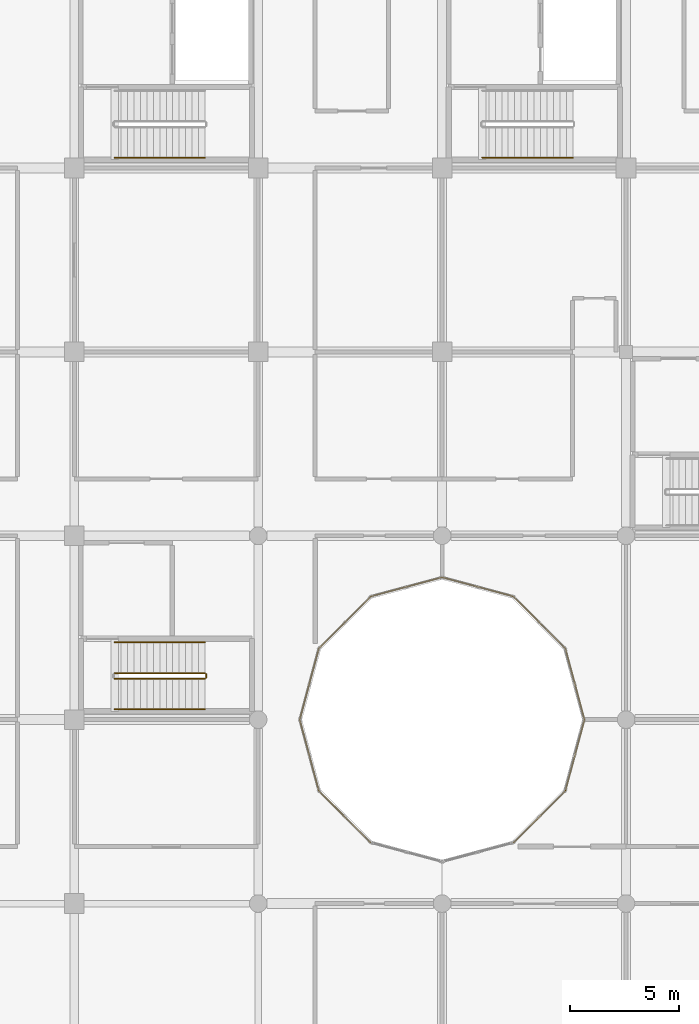
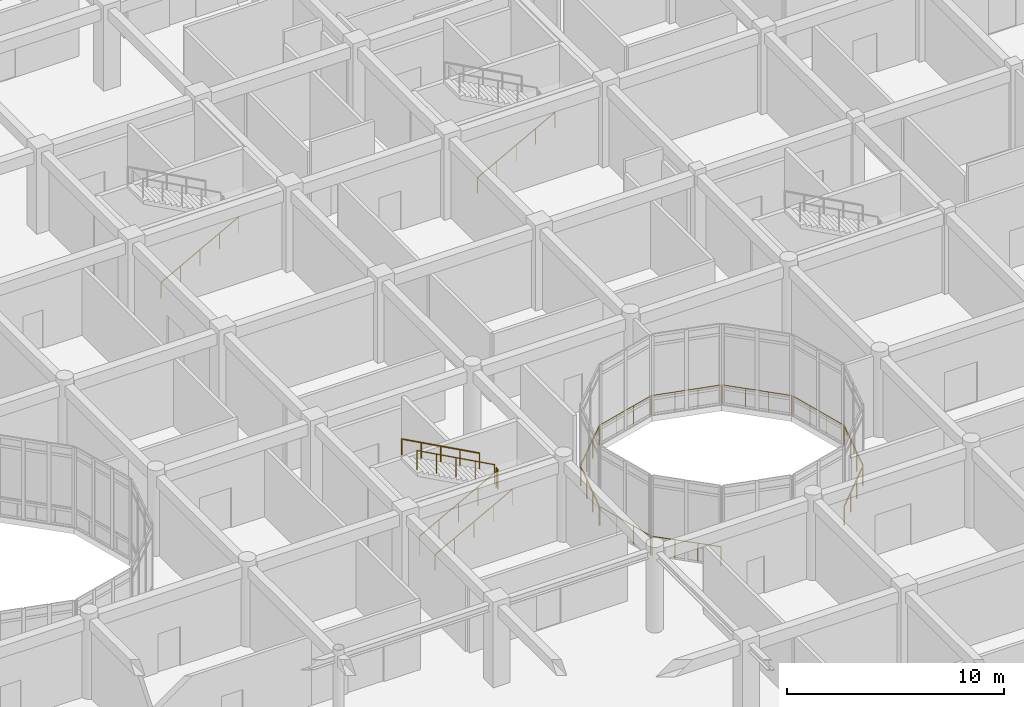
# One storey, part 128 of 138: 17 railings.
"""IFC4 building model written with IfcOpenShell, lengths in metres."""

import ifcopenshell
import ifcopenshell.guid

model = None  # the IFC model being written
_history = None  # IfcOwnerHistory: only IFC2X3 demands one
_inside = {}  # id of a spatial element -> (the spatial element, [elements in it])
_under = {}  # id of a project, library or spatial element -> (it, [spatial elements below it])
_declared = {}  # id of a project -> (the project, [libraries it declares])
_typed = {}  # id of a type object -> (the type object, [elements of that type])
_made_of = {}  # id of a material, layer set ... -> (it, [elements and type objects made of it])


def new_model(schema):
    """Start an empty IFC model of exactly this schema.

    Asked for "IFC4X3", IfcOpenShell would pick the latest addendum, in which some entities
    have other attributes; the version numbers below select the first issue.
    IFC2X3 requires an IfcOwnerHistory on every rooted entity: one is made here for all.
    """
    global model, _history
    if schema == "IFC4X3":
        model = ifcopenshell.file(schema_version=(4, 3, 0, 0))
    else:
        model = ifcopenshell.file(schema=schema)
    _inside.clear()
    _under.clear()
    _declared.clear()
    _typed.clear()
    _made_of.clear()
    _history = None
    if model.schema == "IFC2X3":
        org = make("IfcOrganization", Name="unknown")
        user = make(
            "IfcPersonAndOrganization",
            ThePerson=make("IfcPerson", FamilyName="unknown"),
            TheOrganization=org,
        )
        app = make(
            "IfcApplication",
            ApplicationDeveloper=org,
            Version="unknown",
            ApplicationFullName="unknown",
            ApplicationIdentifier="unknown",
        )
        _history = make(
            "IfcOwnerHistory",
            OwningUser=user,
            OwningApplication=app,
            ChangeAction="ADDED",
            CreationDate=0,
        )
    return model


def make(cls, **values):
    """One entity of the class cls with the attributes given. An attribute that is None is left unset."""
    return model.create_entity(
        cls, **{name: value for name, value in values.items() if value is not None}
    )


def rooted(cls, **values):
    """An entity with a GlobalId (a new one), such as an element, a storey or a relation."""
    return make(cls, GlobalId=ifcopenshell.guid.new(), OwnerHistory=_history, **values)


def si_unit(unit_type, name, prefix=None):
    """IfcSIUnit, for example si_unit("LENGTHUNIT", "METRE", prefix="MILLI")."""
    return make("IfcSIUnit", UnitType=unit_type, Prefix=prefix, Name=name)


def assignment(units):
    """IfcUnitAssignment: the units of a project."""
    return None if units is None else make("IfcUnitAssignment", Units=units)


def point(xyz):
    """IfcCartesianPoint."""
    return None if xyz is None else make("IfcCartesianPoint", Coordinates=xyz)


def direction(xyz):
    """IfcDirection."""
    return None if xyz is None else make("IfcDirection", DirectionRatios=xyz)


def frame(location, z_axis=None, x_axis=None):
    """IfcAxis2Placement3D, a coordinate frame: its origin and axes. An axis left out is left unset."""
    return make(
        "IfcAxis2Placement3D",
        Location=point(location),
        Axis=direction(z_axis),
        RefDirection=direction(x_axis),
    )


def frame_2d(location, x_axis=None):
    """IfcAxis2Placement2D, a coordinate frame in the plane: its origin and x axis."""
    return make(
        "IfcAxis2Placement2D", Location=point(location), RefDirection=direction(x_axis)
    )


def origin():
    """The frame at (0, 0, 0) with its axes left unset."""
    return frame((0.0, 0.0, 0.0))


def origin_2d():
    """The frame at (0, 0) in the plane with its x axis left unset."""
    return frame_2d((0.0, 0.0))


def place(relative_to, where):
    """IfcLocalPlacement: puts the frame where relative to a parent placement (None: the world)."""
    return make(
        "IfcLocalPlacement", PlacementRelTo=relative_to, RelativePlacement=where
    )


def context(
    kind, dimensions, precision=None, world=None, true_north=None, identifier=None
):
    """IfcGeometricRepresentationContext, for example the 3D "Model" context."""
    return make(
        "IfcGeometricRepresentationContext",
        ContextIdentifier=identifier,
        ContextType=kind,
        CoordinateSpaceDimension=dimensions,
        Precision=precision,
        WorldCoordinateSystem=world,
        TrueNorth=true_north,
    )


def subcontext(parent, identifier, kind, view, scale=None):
    """IfcGeometricRepresentationSubContext, for example "Body" below "Model"."""
    return make(
        "IfcGeometricRepresentationSubContext",
        ContextIdentifier=identifier,
        ContextType=kind,
        ParentContext=parent,
        TargetScale=scale,
        TargetView=view,
    )


def project(units=None, contexts=None):
    """IfcProject with its units and contexts."""
    return rooted(
        "IfcProject",
        Name="project",
        RepresentationContexts=contexts,
        UnitsInContext=assignment(units),
    )


def spatial(cls, under=None, at=None, **own):
    """A site, building, storey or space (cls), placed at a placement, below another one or the project."""
    s = rooted(cls, ObjectPlacement=at, **own)
    if under is not None:
        _under.setdefault(under.id(), (under, []))[1].append(s)
    return s


def profile(cls, at=None, kind="AREA", **sizes):
    """A parametric profile (cls). Its sizes go by their IFC names, for example OverallWidth=200.0."""
    return make(cls, ProfileType=kind, Position=at, **sizes)


def circle(**sizes):
    """IfcCircleProfileDef."""
    return profile("IfcCircleProfileDef", **sizes)


def extrude(swept, where, along, depth):
    """IfcExtrudedAreaSolid: the profile swept, set in the frame where, extruded along a direction by depth."""
    return make(
        "IfcExtrudedAreaSolid",
        SweptArea=swept,
        Position=where,
        ExtrudedDirection=direction(along),
        Depth=depth,
    )


def shape(context_of_items, identifier, shape_type, items):
    """IfcShapeRepresentation: the items that make up one representation, for example the "Body"."""
    return make(
        "IfcShapeRepresentation",
        ContextOfItems=context_of_items,
        RepresentationIdentifier=identifier,
        RepresentationType=shape_type,
        Items=items,
    )


def material(Name=None, Category=None):
    """IfcMaterial."""
    return make("IfcMaterial", Name=Name, Category=Category)


def made_of(thing, what):
    """Note that an element or type object is made of a material, layer set ...; save() writes the relation."""
    if what is not None:
        _made_of.setdefault(what.id(), (what, []))[1].append(thing)
    return thing


def type_object(cls, material=None, **own):
    """A type object (cls), such as IfcWallType, which elements share."""
    return made_of(rooted(cls, **own), material)


def element(
    cls,
    number,
    at=None,
    inside=None,
    cuts=None,
    type_object=None,
    material=None,
    context=None,
    identifier="Body",
    shape_type=None,
    held_by="IfcProductDefinitionShape",
    body=None,
    shapes=None,
    **own,
):
    """One element of the class cls, such as IfcWall. Its Tag is "e" and its number.

    at: its placement. inside: the storey or other place that contains it. cuts: it is an
    opening in that element (IfcRelVoidsElement). A single representation is given by context,
    identifier, shape_type and body (its items); several are given by shapes. held_by: the class
    of the entity that holds the representations. save() writes the other relations.
    """
    e = rooted(cls, Tag="e%d" % number, ObjectPlacement=at, **own)
    if body is not None:
        shapes = [shape(context, identifier, shape_type, body)]
    if shapes is not None:
        e.Representation = make(held_by, Representations=shapes)
    if inside is not None:
        _inside.setdefault(inside.id(), (inside, []))[1].append(e)
    if cuts is not None:
        rooted(
            "IfcRelVoidsElement", RelatingBuildingElement=cuts, RelatedOpeningElement=e
        )
    if type_object is not None:
        _typed.setdefault(type_object.id(), (type_object, []))[1].append(e)
    return made_of(e, material)


def aggregate(whole, parts):
    """IfcRelAggregates: a whole, such as a stair, and the parts it consists of."""
    return rooted("IfcRelAggregates", RelatingObject=whole, RelatedObjects=parts)


def save(model, path):
    """Write the relations noted so far, then the file.

    IfcRelAggregates (storeys below a building ...), IfcRelContainedInSpatialStructure (elements
    in a storey), IfcRelDefinesByType, IfcRelAssociatesMaterial and IfcRelDeclares: one each for
    every whole, place, type object, material and project.
    """
    for whole, parts in _under.values():
        aggregate(whole, parts)
    for where, things in _inside.values():
        rooted(
            "IfcRelContainedInSpatialStructure",
            RelatedElements=things,
            RelatingStructure=where,
        )
    for kind, things in _typed.values():
        rooted("IfcRelDefinesByType", RelatedObjects=things, RelatingType=kind)
    for what, things in _made_of.values():
        rooted("IfcRelAssociatesMaterial", RelatedObjects=things, RelatingMaterial=what)
    for by, libraries in _declared.values():
        rooted("IfcRelDeclares", RelatingContext=by, RelatedDefinitions=libraries)
    model.write(path)


model = new_model("IFC4")

# Units and contexts
model_context = context("Model", 3, precision=1e-05, world=origin(), true_north=direction((0.0, 1.0)))
body_context = subcontext(model_context, "Body", "Model", "MODEL_VIEW")
ifc_project = project(units=[si_unit("LENGTHUNIT", "METRE"), si_unit("AREAUNIT", "SQUARE_METRE"), si_unit("VOLUMEUNIT", "CUBIC_METRE"), si_unit("PLANEANGLEUNIT", "RADIAN"), si_unit("MASSUNIT", "GRAM", prefix="KILO")], contexts=[model_context])

# Site, building, storey
site_placement = place(None, origin())
site = spatial("IfcSite", under=ifc_project, at=site_placement, CompositionType="ELEMENT")
building_placement = place(site_placement, origin())
building = spatial("IfcBuilding", under=site, at=building_placement, Name="Bramfleet General Hospital", CompositionType="ELEMENT")
storey_placement = place(building_placement, origin())
storey = spatial("IfcBuildingStorey", under=building, at=storey_placement, Name="L00", CompositionType="ELEMENT", Elevation=0.0)

# Railings
ifc_material_1 = material(Name="Stainless steel 1.4401 safety balustrade", Category="steel")
railing_type_1 = type_object("IfcRailingType", Name="RAIL-EXT-GUARD", PredefinedType="GUARDRAIL", material=ifc_material_1)
railing_1_placement = place(storey_placement, frame((111.10595703125, 67.16455078125, 0.0)))
element("IfcRailing", 1, at=railing_1_placement, inside=storey, type_object=railing_type_1, Name="L00 Safety Guard Rail 25", PredefinedType="GUARDRAIL", context=body_context, shape_type="SweptSolid", body=[
    extrude(circle(Radius=0.02392578125, at=origin_2d()), frame((0.0, 0.0, 1.076171875), z_axis=(0.25882996935, -0.96592289908, 0.0), x_axis=(0.96592289908, 0.25882996935, 0.0)), (0.0, 0.0, 1.0), 3.29296875),
    extrude(circle(Radius=0.02099609375, at=origin_2d()), origin(), (0.0, 0.0, 1.0), 1.052001953125),
    extrude(circle(Radius=0.02099609375, at=origin_2d()), frame((0.2841796875, -1.060302734375, 0.0)), (0.0, 0.0, 1.0), 1.052001953125),
    extrude(circle(Radius=0.02099609375, at=origin_2d()), frame((0.568115234375, -2.120361328125, 0.0)), (0.0, 0.0, 1.0), 1.052001953125),
    extrude(circle(Radius=0.02099609375, at=origin_2d()), frame((0.852294921875, -3.1806640625, 0.0)), (0.0, 0.0, 1.0), 1.052001953125),
])
railing_2_placement = place(storey_placement, frame((111.993896484375, 63.922119140625, 0.0)))
element("IfcRailing", 2, at=railing_2_placement, inside=storey, type_object=railing_type_1, Name="L00 Safety Guard Rail 26", PredefinedType="GUARDRAIL", context=body_context, shape_type="SweptSolid", body=[
    extrude(circle(Radius=0.02392578125, at=origin_2d()), frame((0.0, 0.0, 1.076171875), z_axis=(0.707106781187, -0.707106781187, 0.0), x_axis=(0.707106781187, 0.707106781187, 0.0)), (0.0, 0.0, 1.0), 3.292724609375),
    extrude(circle(Radius=0.02099609375, at=origin_2d()), origin(), (0.0, 0.0, 1.0), 1.052001953125),
    extrude(circle(Radius=0.02099609375, at=origin_2d()), frame((0.776123046875, -0.776123046875, 0.0)), (0.0, 0.0, 1.0), 1.052001953125),
    extrude(circle(Radius=0.02099609375, at=origin_2d()), frame((1.55224609375, -1.55224609375, 0.0)), (0.0, 0.0, 1.0), 1.052001953125),
    extrude(circle(Radius=0.02099609375, at=origin_2d()), frame((2.328369140625, -2.328369140625, 0.0)), (0.0, 0.0, 1.0), 1.052001953125),
])
railing_3_placement = place(storey_placement, frame((120.877685546875, 61.59375, 0.0)))
element("IfcRailing", 3, at=railing_3_placement, inside=storey, type_object=railing_type_1, Name="L00 Safety Guard Rail 29", PredefinedType="GUARDRAIL", context=body_context, shape_type="SweptSolid", body=[
    extrude(circle(Radius=0.02392578125, at=origin_2d()), frame((0.0, 0.0, 1.076171875), z_axis=(0.707143850033, 0.707069710397, 0.0), x_axis=(-0.707069710397, 0.707143850033, 0.0)), (0.0, 0.0, 1.0), 3.29296875),
    extrude(circle(Radius=0.02099609375, at=origin_2d()), origin(), (0.0, 0.0, 1.0), 1.052001953125),
    extrude(circle(Radius=0.02099609375, at=origin_2d()), frame((0.776123046875, 0.776123046875, 0.0)), (0.0, 0.0, 1.0), 1.052001953125),
    extrude(circle(Radius=0.02099609375, at=origin_2d()), frame((1.552490234375, 1.55224609375, 0.0)), (0.0, 0.0, 1.0), 1.052001953125),
    extrude(circle(Radius=0.02099609375, at=origin_2d()), frame((2.32861328125, 2.328369140625, 0.0)), (0.0, 0.0, 1.0), 1.052001953125),
])
railing_4_placement = place(storey_placement, frame((123.24169921875, 63.98388671875, 0.0)))
element("IfcRailing", 4, at=railing_4_placement, inside=storey, type_object=railing_type_1, Name="L00 Safety Guard Rail 30", PredefinedType="GUARDRAIL", context=body_context, shape_type="SweptSolid", body=[
    extrude(circle(Radius=0.02392578125, at=origin_2d()), frame((0.0, 0.0, 1.076171875), z_axis=(0.25882996935, 0.96592289908, 0.0), x_axis=(-0.96592289908, 0.25882996935, 0.0)), (0.0, 0.0, 1.0), 3.29296875),
    extrude(circle(Radius=0.02099609375, at=origin_2d()), origin(), (0.0, 0.0, 1.0), 1.052001953125),
    extrude(circle(Radius=0.02099609375, at=origin_2d()), frame((0.2841796875, 1.060302734375, 0.0)), (0.0, 0.0, 1.0), 1.052001953125),
    extrude(circle(Radius=0.02099609375, at=origin_2d()), frame((0.568115234375, 2.120361328125, 0.0)), (0.0, 0.0, 1.0), 1.052001953125),
    extrude(circle(Radius=0.02099609375, at=origin_2d()), frame((0.852294921875, 3.1806640625, 0.0)), (0.0, 0.0, 1.0), 1.052001953125),
])
railing_5_placement = place(storey_placement, frame((124.093994140625, 67.235595703125, 0.0)))
element("IfcRailing", 5, at=railing_5_placement, inside=storey, type_object=railing_type_1, Name="L00 Safety Guard Rail 31", PredefinedType="GUARDRAIL", context=body_context, shape_type="SweptSolid", body=[
    extrude(circle(Radius=0.02392578125, at=origin_2d()), frame((0.0, 0.0, 1.076171875), z_axis=(-0.25882996935, 0.96592289908, 0.0), x_axis=(-0.96592289908, -0.25882996935, 0.0)), (0.0, 0.0, 1.0), 3.29296875),
    extrude(circle(Radius=0.02099609375, at=origin_2d()), origin(), (0.0, 0.0, 1.0), 1.052001953125),
    extrude(circle(Radius=0.02099609375, at=origin_2d()), frame((-0.2841796875, 1.060302734375, 0.0)), (0.0, 0.0, 1.0), 1.052001953125),
    extrude(circle(Radius=0.02099609375, at=origin_2d()), frame((-0.568115234375, 2.120361328125, 0.0)), (0.0, 0.0, 1.0), 1.052001953125),
    extrude(circle(Radius=0.02099609375, at=origin_2d()), frame((-0.852294921875, 3.1806640625, 0.0)), (0.0, 0.0, 1.0), 1.052001953125),
])
railing_6_placement = place(storey_placement, frame((123.206298828125, 70.477783203125, 0.0)))
element("IfcRailing", 6, at=railing_6_placement, inside=storey, type_object=railing_type_1, Name="L00 Safety Guard Rail 32", PredefinedType="GUARDRAIL", context=body_context, shape_type="SweptSolid", body=[
    extrude(circle(Radius=0.02392578125, at=origin_2d()), frame((0.0, 0.0, 1.076171875), z_axis=(-0.707143850033, 0.707069710397, 0.0), x_axis=(-0.707069710397, -0.707143850033, 0.0)), (0.0, 0.0, 1.0), 3.29296875),
    extrude(circle(Radius=0.02099609375, at=origin_2d()), origin(), (0.0, 0.0, 1.0), 1.052001953125),
    extrude(circle(Radius=0.02099609375, at=origin_2d()), frame((-0.776123046875, 0.776123046875, 0.0)), (0.0, 0.0, 1.0), 1.052001953125),
    extrude(circle(Radius=0.02099609375, at=origin_2d()), frame((-1.552490234375, 1.55224609375, 0.0)), (0.0, 0.0, 1.0), 1.052001953125),
    extrude(circle(Radius=0.02099609375, at=origin_2d()), frame((-2.32861328125, 2.328369140625, 0.0)), (0.0, 0.0, 1.0), 1.052001953125),
])
railing_7_placement = place(storey_placement, frame((120.816162109375, 72.841796875, 0.0)))
element("IfcRailing", 7, at=railing_7_placement, inside=storey, type_object=railing_type_1, Name="L00 Safety Guard Rail 33", PredefinedType="GUARDRAIL", context=body_context, shape_type="SweptSolid", body=[
    extrude(circle(Radius=0.02392578125, at=origin_2d()), frame((0.0, 0.0, 1.076171875), z_axis=(-0.96592289908, 0.25882996935, 0.0), x_axis=(-0.25882996935, -0.96592289908, 0.0)), (0.0, 0.0, 1.0), 3.29296875),
    extrude(circle(Radius=0.02099609375, at=origin_2d()), origin(), (0.0, 0.0, 1.0), 1.052001953125),
    extrude(circle(Radius=0.02099609375, at=origin_2d()), frame((-1.060302734375, 0.2841796875, 0.0)), (0.0, 0.0, 1.0), 1.052001953125),
    extrude(circle(Radius=0.02099609375, at=origin_2d()), frame((-2.120361328125, 0.568115234375, 0.0)), (0.0, 0.0, 1.0), 1.052001953125),
    extrude(circle(Radius=0.02099609375, at=origin_2d()), frame((-3.1806640625, 0.852294921875, 0.0)), (0.0, 0.0, 1.0), 1.052001953125),
])
railing_8_placement = place(storey_placement, frame((117.564453125, 73.694091796875, 0.0)))
element("IfcRailing", 8, at=railing_8_placement, inside=storey, type_object=railing_type_1, Name="L00 Safety Guard Rail 34", PredefinedType="GUARDRAIL", context=body_context, shape_type="SweptSolid", body=[
    extrude(circle(Radius=0.02392578125, at=origin_2d()), frame((0.0, 0.0, 1.076171875), z_axis=(-0.96592289908, -0.25882996935, 0.0), x_axis=(0.25882996935, -0.96592289908, 0.0)), (0.0, 0.0, 1.0), 3.29296875),
    extrude(circle(Radius=0.02099609375, at=origin_2d()), origin(), (0.0, 0.0, 1.0), 1.052001953125),
    extrude(circle(Radius=0.02099609375, at=origin_2d()), frame((-1.060302734375, -0.2841796875, 0.0)), (0.0, 0.0, 1.0), 1.052001953125),
    extrude(circle(Radius=0.02099609375, at=origin_2d()), frame((-2.120361328125, -0.568115234375, 0.0)), (0.0, 0.0, 1.0), 1.052001953125),
    extrude(circle(Radius=0.02099609375, at=origin_2d()), frame((-3.1806640625, -0.852294921875, 0.0)), (0.0, 0.0, 1.0), 1.052001953125),
])
railing_9_placement = place(storey_placement, frame((114.322265625, 72.80615234375, 0.0)))
element("IfcRailing", 9, at=railing_9_placement, inside=storey, type_object=railing_type_1, Name="L00 Safety Guard Rail 35", PredefinedType="GUARDRAIL", context=body_context, shape_type="SweptSolid", body=[
    extrude(circle(Radius=0.02392578125, at=origin_2d()), frame((0.0, 0.0, 1.076171875), z_axis=(-0.707106781187, -0.707106781187, 0.0), x_axis=(0.707106781187, -0.707106781187, 0.0)), (0.0, 0.0, 1.0), 3.292724609375),
    extrude(circle(Radius=0.02099609375, at=origin_2d()), origin(), (0.0, 0.0, 1.0), 1.052001953125),
    extrude(circle(Radius=0.02099609375, at=origin_2d()), frame((-0.776123046875, -0.776123046875, 0.0)), (0.0, 0.0, 1.0), 1.052001953125),
    extrude(circle(Radius=0.02099609375, at=origin_2d()), frame((-1.55224609375, -1.55224609375, 0.0)), (0.0, 0.0, 1.0), 1.052001953125),
    extrude(circle(Radius=0.02099609375, at=origin_2d()), frame((-2.328369140625, -2.328369140625, 0.0)), (0.0, 0.0, 1.0), 1.052001953125),
])
railing_10_placement = place(storey_placement, frame((111.958251953125, 70.416259765625, 0.0)))
element("IfcRailing", 10, at=railing_10_placement, inside=storey, type_object=railing_type_1, Name="L00 Safety Guard Rail 36", PredefinedType="GUARDRAIL", context=body_context, shape_type="SweptSolid", body=[
    extrude(circle(Radius=0.02392578125, at=origin_2d()), frame((0.0, 0.0, 1.076171875), z_axis=(-0.25882996935, -0.96592289908, 0.0), x_axis=(0.96592289908, -0.25882996935, 0.0)), (0.0, 0.0, 1.0), 3.29296875),
    extrude(circle(Radius=0.02099609375, at=origin_2d()), origin(), (0.0, 0.0, 1.0), 1.052001953125),
    extrude(circle(Radius=0.02099609375, at=origin_2d()), frame((-0.2841796875, -1.060302734375, 0.0)), (0.0, 0.0, 1.0), 1.052001953125),
    extrude(circle(Radius=0.02099609375, at=origin_2d()), frame((-0.568115234375, -2.120361328125, 0.0)), (0.0, 0.0, 1.0), 1.052001953125),
    extrude(circle(Radius=0.02099609375, at=origin_2d()), frame((-0.852294921875, -3.1806640625, 0.0)), (0.0, 0.0, 1.0), 1.052001953125),
])
ifc_material_2 = material(Name="Powder-coated steel stair balustrade", Category="steel")
railing_type_2 = type_object("IfcRailingType", Name="RAIL-ST-GUARD", PredefinedType="GUARDRAIL", material=ifc_material_2)
railing_11_placement = place(storey_placement, frame((102.639892578125, 69.070068359375, 0.159912109375)))
element("IfcRailing", 11, at=railing_11_placement, inside=storey, type_object=railing_type_2, Name="L00 ST-C11 stair guard 1", PredefinedType="GUARDRAIL", context=body_context, shape_type="SweptSolid", body=[
    extrude(circle(Radius=0.02392578125, at=origin_2d()), frame((0.0, 0.0, 1.076171875), z_axis=(0.879038868435, 0.0, 0.476750110415), x_axis=(0.0, 1.0, 0.0)), (0.0, 0.0, 1.0), 4.698486328125),
    extrude(circle(Radius=0.02099609375, at=origin_2d()), origin(), (0.0, 0.0, 1.0), 1.052001953125),
    extrude(circle(Radius=0.02099609375, at=origin_2d()), frame((1.032470703125, 0.0, 0.56005859375)), (0.0, 0.0, 1.0), 1.052001953125),
    extrude(circle(Radius=0.02099609375, at=origin_2d()), frame((2.06494140625, 0.0, 1.1201171875)), (0.0, 0.0, 1.0), 1.052001953125),
    extrude(circle(Radius=0.02099609375, at=origin_2d()), frame((3.09765625, 0.0, 1.679931640625)), (0.0, 0.0, 1.0), 1.052001953125),
    extrude(circle(Radius=0.02099609375, at=origin_2d()), frame((4.130126953125, 0.0, 2.239990234375)), (0.0, 0.0, 1.0), 1.052001953125),
])
railing_12_placement = place(storey_placement, frame((106.820068359375, 69.1201171875, 2.39990234375)))
element("IfcRailing", 12, at=railing_12_placement, inside=storey, type_object=railing_type_2, Name="L00 ST-C11 stair guard 2", PredefinedType="GUARDRAIL", context=body_context, shape_type="SweptSolid", body=[
    extrude(circle(Radius=0.02392578125, at=origin_2d()), frame((0.0, 0.0, 1.076171875), z_axis=(0.0, 1.0, 0.0), x_axis=(-1.0, 0.0, 0.0)), (0.0, 0.0, 1.0), 0.159912109375),
    extrude(circle(Radius=0.02099609375, at=origin_2d()), origin(), (0.0, 0.0, 1.0), 1.052001953125),
    extrude(circle(Radius=0.02099609375, at=origin_2d()), frame((0.0, 0.159912109375, 0.0)), (0.0, 0.0, 1.0), 1.052001953125),
])
railing_13_placement = place(storey_placement, frame((106.77001953125, 69.330078125, 2.56005859375)))
element("IfcRailing", 13, at=railing_13_placement, inside=storey, type_object=railing_type_2, Name="L00 ST-C11 stair guard 3", PredefinedType="GUARDRAIL", context=body_context, shape_type="SweptSolid", body=[
    extrude(circle(Radius=0.02392578125, at=origin_2d()), frame((0.0, 0.0, 1.076171875), z_axis=(-0.879038868435, 0.0, 0.476750110415), x_axis=(0.0, -1.0, 0.0)), (0.0, 0.0, 1.0), 4.698486328125),
    extrude(circle(Radius=0.02099609375, at=origin_2d()), origin(), (0.0, 0.0, 1.0), 1.052001953125),
    extrude(circle(Radius=0.02099609375, at=origin_2d()), frame((-1.032470703125, 0.0, 0.56005859375)), (0.0, 0.0, 1.0), 1.052001953125),
    extrude(circle(Radius=0.02099609375, at=origin_2d()), frame((-2.06494140625, 0.0, 1.1201171875)), (0.0, 0.0, 1.0), 1.052001953125),
    extrude(circle(Radius=0.02099609375, at=origin_2d()), frame((-3.09765625, 0.0, 1.679931640625)), (0.0, 0.0, 1.0), 1.052001953125),
    extrude(circle(Radius=0.02099609375, at=origin_2d()), frame((-4.130126953125, 0.0, 2.239990234375)), (0.0, 0.0, 1.0), 1.052001953125),
])
ifc_material_3 = material(Name="Stainless steel 1.4301 stair handrail", Category="steel")
railing_type_3 = type_object("IfcRailingType", Name="RAIL-ST-HND", PredefinedType="HANDRAIL", material=ifc_material_3)
for number, where, name in (
    (14, (102.639892578125, 92.8701171875, 0.159912109375), "L00 ST-C4 stair handrail 1"),
    (15, (119.43994140625, 92.8701171875, 0.159912109375), "L00 ST-C6 stair handrail 1"),
    (16, (102.639892578125, 67.669921875, 0.159912109375), "L00 ST-C11 stair handrail 1"),
):
    element("IfcRailing", number, at=place(storey_placement, frame(where)), inside=storey, type_object=railing_type_3, Name=name, PredefinedType="HANDRAIL", context=body_context, shape_type="SweptSolid", body=[
        extrude(circle(Radius=0.02392578125, at=origin_2d()), frame((0.0, 0.0, 0.8759765625), z_axis=(0.879038868435, 0.0, 0.476750110415), x_axis=(0.0, 1.0, 0.0)), (0.0, 0.0, 1.0), 4.698486328125),
        extrude(circle(Radius=0.02099609375, at=origin_2d()), origin(), (0.0, 0.0, 1.0), 0.851806640625),
        extrude(circle(Radius=0.02099609375, at=origin_2d()), frame((1.032470703125, 0.0, 0.56005859375)), (0.0, 0.0, 1.0), 0.851806640625),
        extrude(circle(Radius=0.02099609375, at=origin_2d()), frame((2.06494140625, 0.0, 1.1201171875)), (0.0, 0.0, 1.0), 0.851806640625),
        extrude(circle(Radius=0.02099609375, at=origin_2d()), frame((3.09765625, 0.0, 1.679931640625)), (0.0, 0.0, 1.0), 0.851806640625),
        extrude(circle(Radius=0.02099609375, at=origin_2d()), frame((4.130126953125, 0.0, 2.239990234375)), (0.0, 0.0, 1.0), 0.851806640625),
    ])
railing_14_placement = place(storey_placement, frame((106.77001953125, 70.72998046875, 2.56005859375)))
element("IfcRailing", 17, at=railing_14_placement, inside=storey, type_object=railing_type_3, Name="L00 ST-C11 stair handrail 2", PredefinedType="HANDRAIL", context=body_context, shape_type="SweptSolid", body=[
    extrude(circle(Radius=0.02392578125, at=origin_2d()), frame((0.0, 0.0, 0.8759765625), z_axis=(-0.879038868435, 0.0, 0.476750110415), x_axis=(0.0, -1.0, 0.0)), (0.0, 0.0, 1.0), 4.698486328125),
    extrude(circle(Radius=0.02099609375, at=origin_2d()), origin(), (0.0, 0.0, 1.0), 0.851806640625),
    extrude(circle(Radius=0.02099609375, at=origin_2d()), frame((-1.032470703125, 0.0, 0.56005859375)), (0.0, 0.0, 1.0), 0.851806640625),
    extrude(circle(Radius=0.02099609375, at=origin_2d()), frame((-2.06494140625, 0.0, 1.1201171875)), (0.0, 0.0, 1.0), 0.851806640625),
    extrude(circle(Radius=0.02099609375, at=origin_2d()), frame((-3.09765625, 0.0, 1.679931640625)), (0.0, 0.0, 1.0), 0.851806640625),
    extrude(circle(Radius=0.02099609375, at=origin_2d()), frame((-4.130126953125, 0.0, 2.239990234375)), (0.0, 0.0, 1.0), 0.851806640625),
])

save(model, "model.ifc")
